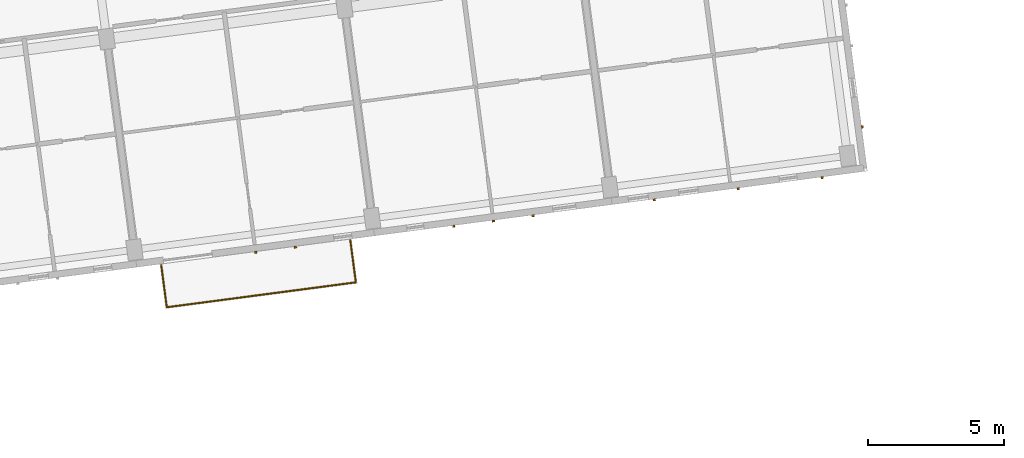
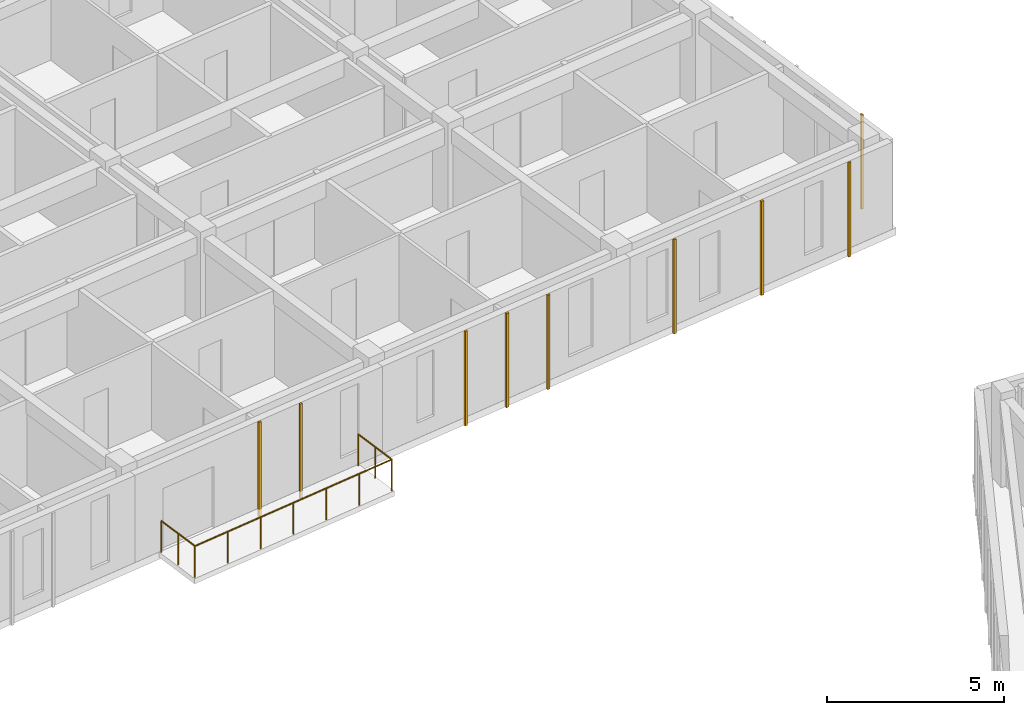
# One storey, part 44 of 64: 9 coverings, 1 railing.
"""IFC4 building model written with IfcOpenShell, lengths in metres."""

from ifc_helpers import new_model, si_unit, direction, frame, origin, origin_2d, place, context, subcontext, project, spatial, rectangle, circle, extrude, material, layer, layer_set, type_object, element, save


model = new_model("IFC4")

# Units and contexts
model_context = context("Model", 3, precision=1e-05, world=origin(), true_north=direction((0.0, 1.0)))
body_context = subcontext(model_context, "Body", "Model", "MODEL_VIEW")
ifc_project = project(units=[si_unit("LENGTHUNIT", "METRE"), si_unit("AREAUNIT", "SQUARE_METRE"), si_unit("VOLUMEUNIT", "CUBIC_METRE"), si_unit("PLANEANGLEUNIT", "RADIAN"), si_unit("MASSUNIT", "GRAM", prefix="KILO")], contexts=[model_context])

# Site, building, storey
site_placement = place(None, origin())
site = spatial("IfcSite", under=ifc_project, at=site_placement, CompositionType="ELEMENT")
building_placement = place(site_placement, origin())
building = spatial("IfcBuilding", under=site, at=building_placement, Name="Kestramere Prow Commons", CompositionType="ELEMENT")
storey_placement = place(building_placement, frame((0.0, 0.0, 24.64990234375)))
storey = spatial("IfcBuildingStorey", under=building, at=storey_placement, Name="L07", CompositionType="ELEMENT", Elevation=24.64990234375)

# Coverings
ifc_material_1 = material(Name="Weathered Zinc-Titanium Standing-Seam Cladding")
ifc_layer = layer(ifc_material_1, 0.074951171875)
ifc_layer_set = layer_set([ifc_layer], Name="Weathered Zinc-Titanium Standing-Seam Cladding")
covering_type = type_object("IfcCoveringType", Name="COV-CLAD-SEAM", PredefinedType="CLADDING", material=ifc_layer_set)
for number, where, z_axis, x_axis, name in (
    (1, (43.279052734375, 75.5400390625, -0.25), (0.0, 0.0, 1.0), (-0.991444861374, -0.13052619222, 0.0), "EW-A-L07-S-3 Standing-Seam Rib 2"),
    (2, (41.824951171875, 75.348388671875, -0.25), (0.0, 0.0, 1.0), (-0.991444861374, -0.13052619222, 0.0), "EW-A-L07-S-3 Standing-Seam Rib 3"),
    (3, (52.003662109375, 76.6884765625, -0.25), (0.0, 0.0, 1.0), (-0.991444861374, -0.13052619222, 0.0), "EW-A-L07-S-4 Standing-Seam Rib 2"),
    (4, (50.549560546875, 76.4970703125, -0.25), (0.0, 0.0, 1.0), (-0.991444861374, -0.13052619222, 0.0), "EW-A-L07-S-4 Standing-Seam Rib 3"),
    (5, (49.095458984375, 76.3056640625, -0.25), (0.0, 0.0, 1.0), (-0.991444861374, -0.13052619222, 0.0), "EW-A-L07-S-4 Standing-Seam Rib 4"),
    (6, (62.616455078125, 78.085693359375, -0.25), (0.0, 0.0, 1.0), (-0.991444861374, -0.13052619222, 0.0), "EW-A-L07-S-5 Standing-Seam Rib 1"),
    (7, (59.53466796875, 77.679931640625, -0.25), (0.0, 0.0, 1.0), (-0.991444861374, -0.13052619222, 0.0), "EW-A-L07-S-5 Standing-Seam Rib 3"),
    (8, (56.452880859375, 77.2744140625, -0.25), (0.0, 0.0, 1.0), (-0.991444861374, -0.13052619222, 0.0), "EW-A-L07-S-5 Standing-Seam Rib 5"),
    (9, (64.09228515625, 79.950439453125, -0.25), (0.0, 0.0, 1.0), (0.13052619222, -0.991444861374, 0.0), "EW-A-L07-EAV Standing-Seam Rib 13"),
):
    element("IfcCovering", number, at=place(storey_placement, frame(where, z_axis=z_axis, x_axis=x_axis)), inside=storey, type_object=covering_type, Name=name, PredefinedType="CLADDING", context=body_context, shape_type="SweptSolid", body=[
        extrude(rectangle(XDim=0.0849609375, YDim=0.06494140625, at=origin_2d()), origin(), (0.0, 0.0, 1.0), 3.25),
    ])

# Railing
ifc_material_2 = material(Name="Powder-Coated Aluminium 6063-T6", Category="aluminium")
railing_type = type_object("IfcRailingType", Name="GRD-BALC-1100", PredefinedType="BALUSTRADE", material=ifc_material_2)
railing_placement = place(storey_placement, frame((38.3564453125, 74.879150390625, 0.0)))
element("IfcRailing", 10, at=railing_placement, inside=storey, type_object=railing_type, Name="Block A L07 Balcony Guardrail 4", PredefinedType="BALUSTRADE", context=body_context, shape_type="SweptSolid", body=[
    extrude(circle(Radius=0.02392578125, at=origin_2d()), frame((0.0, 0.0, 1.076171875), z_axis=(0.130523335136, -0.991445237512, 0.0), x_axis=(0.991445237512, 0.130523335136, 0.0)), (0.0, 0.0, 1.0), 1.56005859375),
    extrude(circle(Radius=0.02392578125, at=origin_2d()), frame((0.20361328125, -1.546630859375, 1.076171875), z_axis=(0.991442539299, 0.130543828916, 0.0), x_axis=(-0.130543828916, 0.991442539299, 0.0)), (0.0, 0.0, 1.0), 7.0),
    extrude(circle(Radius=0.02392578125, at=origin_2d()), frame((7.143798828125, -0.6328125, 1.076171875), z_axis=(-0.130523335136, 0.991445237512, 0.0), x_axis=(-0.991445237512, -0.130523335136, 0.0)), (0.0, 0.0, 1.0), 1.56005859375),
    extrude(circle(Radius=0.02099609375, at=origin_2d()), origin(), (0.0, 0.0, 1.0), 1.052001953125),
    extrude(circle(Radius=0.02099609375, at=origin_2d()), frame((0.101806640625, -0.7734375, 0.0)), (0.0, 0.0, 1.0), 1.052001953125),
    extrude(circle(Radius=0.02099609375, at=origin_2d()), frame((0.20361328125, -1.546630859375, 0.0)), (0.0, 0.0, 1.0), 1.052001953125),
    extrude(circle(Radius=0.02099609375, at=origin_2d()), frame((1.3603515625, -1.394287109375, 0.0)), (0.0, 0.0, 1.0), 1.052001953125),
    extrude(circle(Radius=0.02099609375, at=origin_2d()), frame((2.51708984375, -1.241943359375, 0.0)), (0.0, 0.0, 1.0), 1.052001953125),
    extrude(circle(Radius=0.02099609375, at=origin_2d()), frame((3.673828125, -1.08984375, 0.0)), (0.0, 0.0, 1.0), 1.052001953125),
    extrude(circle(Radius=0.02099609375, at=origin_2d()), frame((4.830322265625, -0.9375, 0.0)), (0.0, 0.0, 1.0), 1.052001953125),
    extrude(circle(Radius=0.02099609375, at=origin_2d()), frame((5.987060546875, -0.78515625, 0.0)), (0.0, 0.0, 1.0), 1.052001953125),
    extrude(circle(Radius=0.02099609375, at=origin_2d()), frame((7.143798828125, -0.6328125, 0.0)), (0.0, 0.0, 1.0), 1.052001953125),
    extrude(circle(Radius=0.02099609375, at=origin_2d()), frame((7.0419921875, 0.140625, 0.0)), (0.0, 0.0, 1.0), 1.052001953125),
    extrude(circle(Radius=0.02099609375, at=origin_2d()), frame((6.940185546875, 0.913818359375, 0.0)), (0.0, 0.0, 1.0), 1.052001953125),
])

save(model, "model.ifc")
